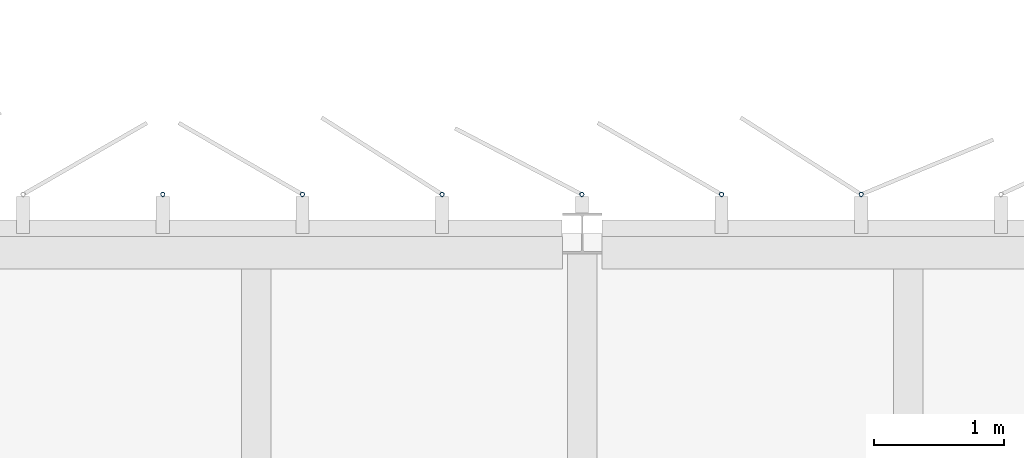
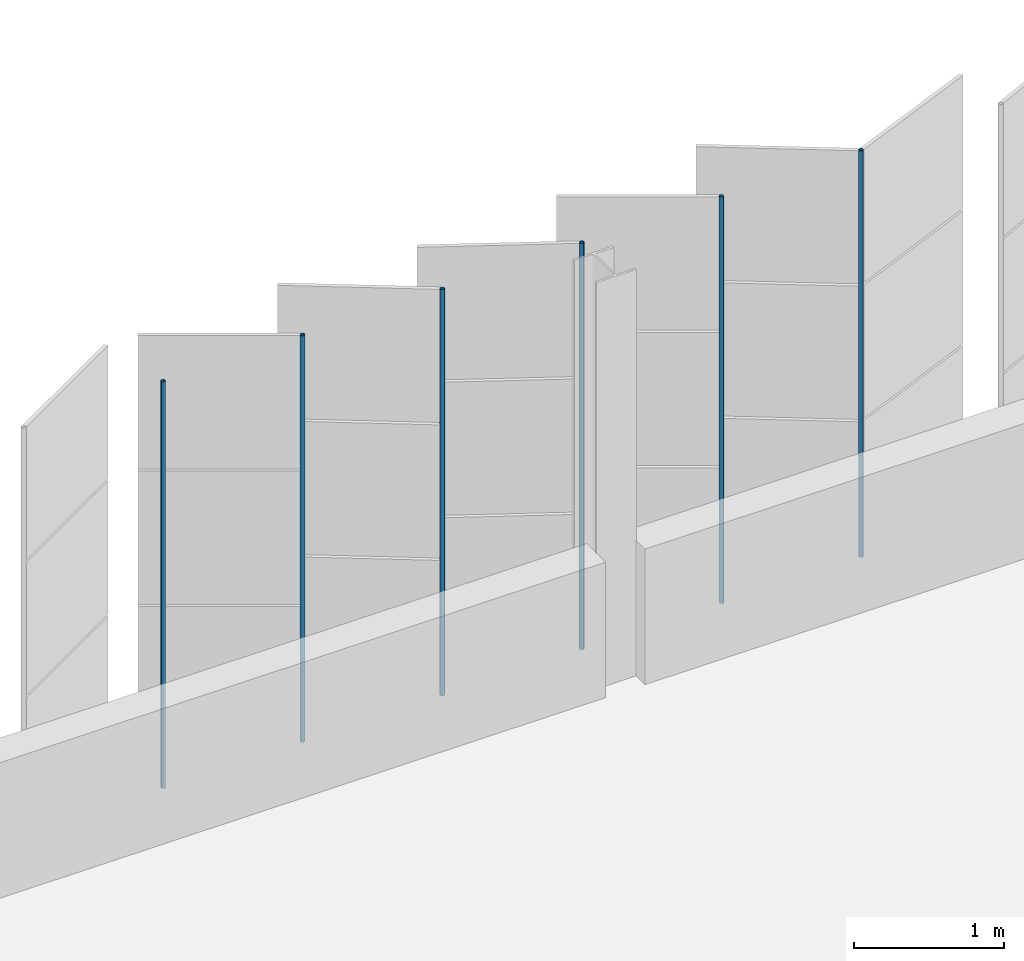
# One storey, part 163 of 214: 6 discrete accessories.
"""IFC4 building model written with IfcOpenShell, lengths in metres."""

from ifc_helpers import new_model, si_unit, direction, frame, origin, origin_2d, place, context, subcontext, project, spatial, hollow_circle, extrude, material, material_profile, profile_set, type_object, element, save


model = new_model("IFC4")

# Units and contexts
model_context = context("Model", 3, precision=1e-05, world=origin(), true_north=direction((0.0, 1.0)))
body_context = subcontext(model_context, "Body", "Model", "MODEL_VIEW")
ifc_project = project(units=[si_unit("LENGTHUNIT", "METRE"), si_unit("AREAUNIT", "SQUARE_METRE"), si_unit("VOLUMEUNIT", "CUBIC_METRE"), si_unit("PLANEANGLEUNIT", "RADIAN"), si_unit("MASSUNIT", "GRAM", prefix="KILO")], contexts=[model_context])

# Site, building, storey
site_placement = place(None, origin())
site = spatial("IfcSite", under=ifc_project, at=site_placement, CompositionType="ELEMENT")
building_placement = place(site_placement, origin())
building = spatial("IfcBuilding", under=site, at=building_placement, Name="Parallax Yard Mobility Hub", CompositionType="ELEMENT")
storey_placement = place(building_placement, frame((0.0, 0.0, 3.300048828125)))
storey = spatial("IfcBuildingStorey", under=building, at=storey_placement, Name="L01", CompositionType="ELEMENT", Elevation=3.300048828125)

# Discrete accessories
ifc_material = material(Name="Steel ASTM A500 Gr C, hot-dip galvanised", Category="steel")
ifc_material_profile = material_profile(ifc_material, hollow_circle(Radius=0.016845703125, WallThickness=0.003173828125, at=origin_2d()), Name="CHS 33.7x3.2")
ifc_profile_set = profile_set([ifc_material_profile], Name="Steel ASTM A500 Gr C, hot-dip galvanised")
discrete_accessory_type = type_object("IfcDiscreteAccessoryType", Name="Hinge post CHS 33.7x3.2", PredefinedType="BRACKET", material=ifc_profile_set)
for number, where, z_axis, x_axis, name in (
    (1, (137.140380859375, 142.800048828125, 0.0), (0.0, 0.0, 1.0), (1.0, 0.0, 0.0), "Hinge post bay 55.6 level L01"),
    (2, (136.069091796875, 142.800048828125, 0.0), (0.0, 0.0, 1.0), (1.0, 0.0, 0.0), "Hinge post bay 55.7 level L01"),
    (3, (134.997314453125, 142.800048828125, 0.0), (0.0, 0.0, 1.0), (1.0, 0.0, 0.0), "Hinge post bay 56.1 level L01"),
    (4, (133.92578125, 142.800048828125, 0.0), (0.0, 0.0, 1.0), (1.0, 0.0, 0.0), "Hinge post bay 56.2 level L01"),
    (5, (132.854248046875, 142.800048828125, 0.0), (0.0, 0.0, 1.0), (1.0, 0.0, 0.0), "Hinge post bay 56.3 level L01"),
    (6, (131.78271484375, 142.800048828125, 0.0), (0.0, 0.0, 1.0), (1.0, 0.0, 0.0), "Hinge post bay 56.4 level L01"),
):
    element("IfcDiscreteAccessory", number, at=place(storey_placement, frame(where, z_axis=z_axis, x_axis=x_axis)), inside=storey, type_object=discrete_accessory_type, Name=name, PredefinedType="BRACKET", context=body_context, shape_type="SweptSolid", body=[
        extrude(hollow_circle(Radius=0.016845703125, WallThickness=0.003173828125, at=origin_2d()), origin(), (0.0, 0.0, 1.0), 3.300048828125),
    ])

save(model, "model.ifc")
